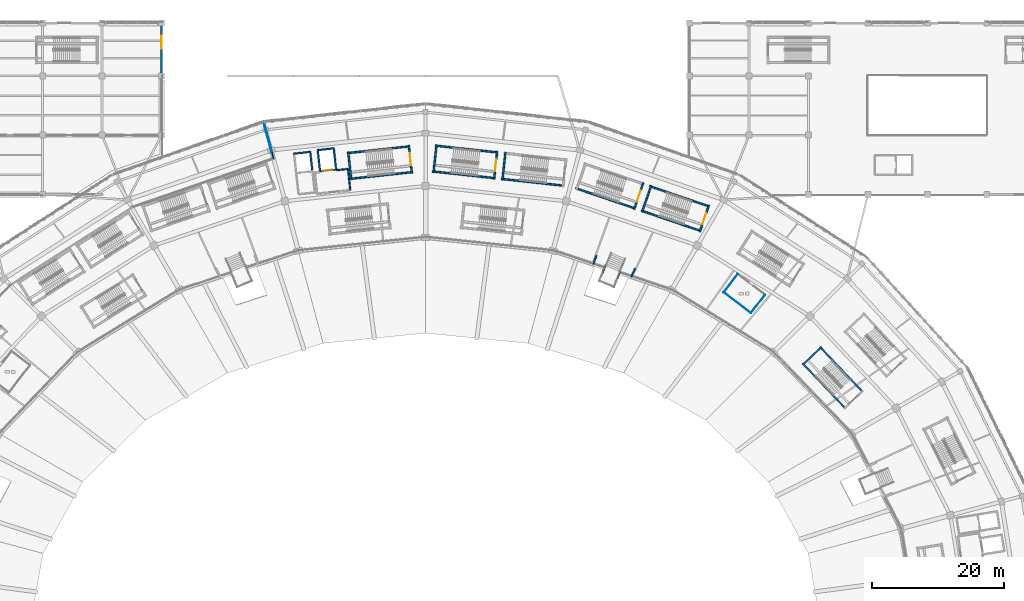
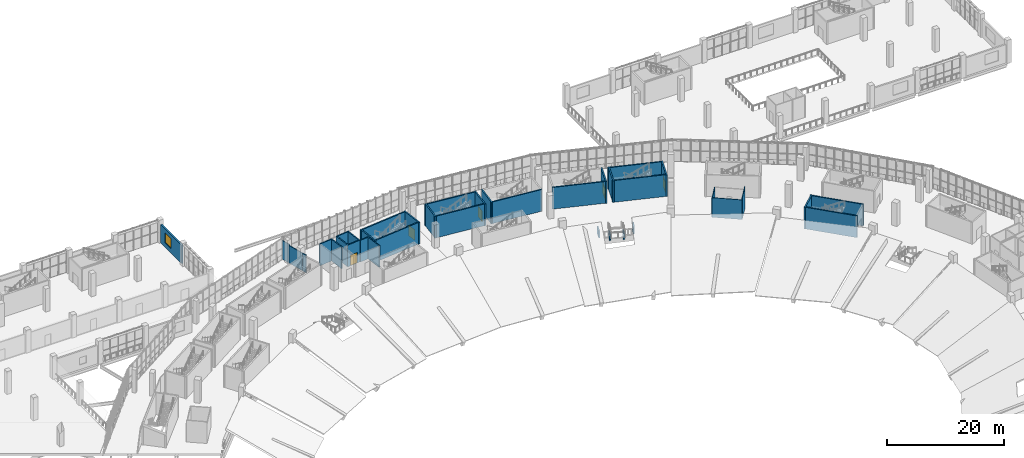
# One storey, part 110 of 183: 38 walls, 5 doors, 1 window, 6 openings.
"""IFC4 building model written with IfcOpenShell, lengths in metres."""

from ifc_helpers import new_model, si_unit, direction, frame, frame_2d, origin, place, context, subcontext, project, spatial, rectangle, extrude, material, layer, layer_set, type_object, element, fill, save


model = new_model("IFC4")

# Units and contexts
model_context = context("Model", 3, precision=1e-05, world=origin(), true_north=direction((0.0, 1.0)))
body_context = subcontext(model_context, "Body", "Model", "MODEL_VIEW")
ifc_project = project(units=[si_unit("LENGTHUNIT", "METRE"), si_unit("AREAUNIT", "SQUARE_METRE"), si_unit("VOLUMEUNIT", "CUBIC_METRE"), si_unit("PLANEANGLEUNIT", "RADIAN"), si_unit("MASSUNIT", "GRAM", prefix="KILO")], contexts=[model_context])

# Site, building, storey
site_placement = place(None, origin())
site = spatial("IfcSite", under=ifc_project, at=site_placement, CompositionType="ELEMENT")
building_placement = place(site_placement, origin())
building = spatial("IfcBuilding", under=site, at=building_placement, Name="Zevraka Park Crest Stadium", CompositionType="ELEMENT")
storey_placement = place(building_placement, frame((0.0, 0.0, 5.39990234375)))
storey = spatial("IfcBuildingStorey", under=building, at=storey_placement, Name="L01", CompositionType="ELEMENT", Elevation=5.39990234375)

# Wall, opening, window
ifc_material_1 = material(Name="Limestone and red clay brick masonry", Category="masonry")
ifc_layer_1 = layer(ifc_material_1, 0.300048828125)
ifc_layer_set_1 = layer_set([ifc_layer_1], Name="Limestone and red clay brick masonry")
wall_type_1 = type_object("IfcWallType", Name="EW02", PredefinedType="STANDARD", material=ifc_layer_set_1)
wall_1_placement = place(storey_placement, frame((72.0, 183.574951171875, 0.0), z_axis=(0.0, 0.0, 1.0), x_axis=(0.0, -1.0, 0.0)))
wall_1 = element("IfcWall", 1, at=wall_1_placement, inside=storey, type_object=wall_type_1, Name="Wing External Cavity Wall EW02 L01-NW-E1-1", PredefinedType="STANDARD", context=body_context, shape_type="SweptSolid", body=[
    extrude(rectangle(XDim=7.14990234375, YDim=0.300048828125, at=frame_2d((3.574951171875, 0.0))), origin(), (0.0, 0.0, 1.0), 3.837158203125),
])
opening_1_placement = place(wall_1_placement, frame((1.527099609375, 0.0, 0.949951171875)))
opening_1 = element("IfcOpeningElement", 2, at=opening_1_placement, cuts=wall_1, Name="Opening WN10", PredefinedType="OPENING", context=body_context, shape_type="SweptSolid", body=[
    extrude(rectangle(XDim=1.949951171875, YDim=2.050048828125, at=frame_2d((0.97509765625, 1.02490234375))), frame((0.0, 0.159912109375, 0.0), z_axis=(0.0, -1.0, 0.0), x_axis=(1.0, 0.0, 0.0)), (0.0, 0.0, 1.0), 0.320068359375),
])
ifc_material_2 = material(Name="Solar-control laminated double glazing in aluminium frame", Category="aluminium")
window_type = type_object("IfcWindowType", Name="WN10", PartitioningType="SINGLE_PANEL", PredefinedType="WINDOW", material=ifc_material_2)
window_placement = place(opening_1_placement, origin())
window = element("IfcWindow", 3, at=window_placement, inside=storey, type_object=window_type, Name="Facade Casement Window WN10 W-L01-051", OverallHeight=2.050048828125, OverallWidth=1.949951171875, PartitioningType="SINGLE_PANEL", PredefinedType="WINDOW", context=body_context, shape_type="SweptSolid", body=[
    extrude(rectangle(XDim=1.949951171875, YDim=2.050048828125, at=frame_2d((0.97509765625, 1.02490234375))), frame((0.0, 0.030029296875, 0.0), z_axis=(0.0, -1.0, 0.0), x_axis=(1.0, 0.0, 0.0)), (0.0, 0.0, 1.0), 0.06005859375),
])
fill(opening_1, window)

# Walls
ifc_material_3 = material(Name="Autoclaved aerated masonry blockwork", Category="masonry")
ifc_layer_2 = layer(ifc_material_3, 0.199951171875)
ifc_layer_set_2 = layer_set([ifc_layer_2], Name="Autoclaved aerated masonry blockwork")
wall_type_2 = type_object("IfcWallType", Name="IW01", PredefinedType="PARTITIONING", material=ifc_layer_set_2)
wall_2_placement = place(storey_placement, frame((98.52490234375, 161.697998046875, 0.0), z_axis=(0.0, 0.0, 1.0), x_axis=(0.994135511072, 0.108141507414, 0.0)))
element("IfcWall", 4, at=wall_2_placement, inside=storey, type_object=wall_type_2, Name="Firefighting Lift Lobby Wall IW01 FL02 L01 BACKR", PredefinedType="PARTITIONING", context=body_context, shape_type="SweptSolid", body=[
    extrude(rectangle(XDim=1.72021484375, YDim=0.199951171875, at=frame_2d((0.860107421875, 0.0))), origin(), (0.0, 0.0, 1.0), 4.5),
])
wall_3_placement = place(storey_placement, frame((100.235107421875, 161.884033203125, 0.0), z_axis=(0.0, 0.0, 1.0), x_axis=(0.108280975823, -0.994120329877, 0.0)))
element("IfcWall", 5, at=wall_3_placement, inside=storey, type_object=wall_type_2, Name="Firefighting Lift Lobby Wall IW01 FL02 L01 RIGHT", PredefinedType="PARTITIONING", context=body_context, shape_type="SweptSolid", body=[
    extrude(rectangle(XDim=3.239990234375, YDim=0.199951171875, at=frame_2d((1.6201171875, 0.0))), origin(), (0.0, 0.0, 1.0), 4.5),
])
ifc_material_4 = material(Name="Fire-rated twin-stud acoustic drywall", Category="other")
ifc_layer_3 = layer(ifc_material_4, 0.139892578125)
ifc_layer_set_3 = layer_set([ifc_layer_3], Name="Fire-rated twin-stud acoustic drywall")
wall_type_3 = type_object("IfcWallType", Name="IW03", PredefinedType="PARTITIONING", material=ifc_layer_set_3)
wall_4_placement = place(storey_placement, frame((88.969970703125, 163.458984375, 0.0), z_axis=(0.0, 0.0, 1.0), x_axis=(-0.258783945257, 0.965935230581, 0.0)))
element("IfcWall", 6, at=wall_4_placement, inside=storey, type_object=wall_type_3, Name="Interior Partition IW03 Food and Beverage Concession Hall L01", PredefinedType="PARTITIONING", context=body_context, shape_type="SweptSolid", body=[
    extrude(rectangle(XDim=0.934814453125, YDim=0.139892578125, at=frame_2d((0.46728515625, 0.0))), origin(), (0.0, 0.0, 1.0), 3.6650390625),
])
wall_5_placement = place(storey_placement, frame((88.73193359375, 164.347900390625, 0.0), z_axis=(0.0, 0.0, 1.0), x_axis=(-0.258656973338, 0.965969238715, 0.0)))
element("IfcWall", 7, at=wall_5_placement, inside=storey, type_object=wall_type_3, Name="Interior Partition IW03 Food and Beverage Concession Hall L01", PredefinedType="PARTITIONING", context=body_context, shape_type="SweptSolid", body=[
    extrude(rectangle(XDim=3.239501953125, YDim=0.139892578125, at=frame_2d((1.61962890625, 0.0))), origin(), (0.0, 0.0, 1.0), 3.6650390625),
])
wall_6_placement = place(storey_placement, frame((87.89697265625, 167.4619140625, 0.0), z_axis=(0.0, 0.0, 1.0), x_axis=(-0.258270054959, 0.966072760568, 0.0)))
element("IfcWall", 8, at=wall_6_placement, inside=storey, type_object=wall_type_3, Name="Interior Partition IW03 Food and Beverage Concession Hall L01", PredefinedType="PARTITIONING", context=body_context, shape_type="SweptSolid", body=[
    extrude(rectangle(XDim=1.676025390625, YDim=0.139892578125, at=frame_2d((0.837890625, 0.0))), origin(), (0.0, 0.0, 1.0), 3.9150390625),
])
ifc_material_5 = material(Name="Moisture-resistant sanitary partition", Category="other")
ifc_layer_4 = layer(ifc_material_5, 0.1201171875)
ifc_layer_set_4 = layer_set([ifc_layer_4], Name="Moisture-resistant sanitary partition")
wall_type_4 = type_object("IfcWallType", Name="IW04", PredefinedType="PARTITIONING", material=ifc_layer_set_4)
wall_7_placement = place(storey_placement, frame((161.27197265625, 140.041015625, 0.0), z_axis=(0.0, 0.0, 1.0), x_axis=(-0.79327979317, 0.608857265497, 0.0)))
element("IfcWall", 9, at=wall_7_placement, inside=storey, type_object=wall_type_4, Name="Sanitary Enclosure Wall IW04 Male WC L01-001-1", PredefinedType="PARTITIONING", context=body_context, shape_type="SweptSolid", body=[
    extrude(rectangle(XDim=5.199951171875, YDim=0.1201171875, at=frame_2d((2.60009765625, 0.0))), origin(), (0.0, 0.0, 1.0), 4.087158203125),
])
wall_8_placement = place(storey_placement, frame((157.14697265625, 143.20703125, 0.0), z_axis=(0.0, 0.0, 1.0), x_axis=(0.608648267267, 0.793440159529, 0.0)))
element("IfcWall", 10, at=wall_8_placement, inside=storey, type_object=wall_type_4, Name="Sanitary Enclosure Wall IW04 Male WC L01-001-2", PredefinedType="PARTITIONING", context=body_context, shape_type="SweptSolid", body=[
    extrude(rectangle(XDim=3.499755859375, YDim=0.1201171875, at=frame_2d((1.75, 0.0))), origin(), (0.0, 0.0, 1.0), 3.815185546875),
])
wall_9_placement = place(storey_placement, frame((163.403076171875, 142.818115234375, 0.0), z_axis=(0.0, 0.0, 1.0), x_axis=(-0.608790203715, -0.793331259853, 0.0)))
element("IfcWall", 11, at=wall_9_placement, inside=storey, type_object=wall_type_4, Name="Sanitary Enclosure Wall IW04 Male WC L01-001-4", PredefinedType="PARTITIONING", context=body_context, shape_type="SweptSolid", body=[
    extrude(rectangle(XDim=3.50048828125, YDim=0.1201171875, at=frame_2d((1.750244140625, 0.0))), origin(), (0.0, 0.0, 1.0), 4.5),
])
ifc_material_6 = material(Name="Concrete C40/50", Category="concrete")
ifc_layer_5 = layer(ifc_material_6, 0.25)
ifc_layer_set_5 = layer_set([ifc_layer_5], Name="Concrete C40/50")
wall_type_5 = type_object("IfcWallType", Name="SW01", PredefinedType="SHEAR", material=ifc_layer_set_5)
for number, where, z_axis, x_axis, name in (
    (12, (154.976318359375, 156.190673828125, 0.0), (0.0, 0.0, 1.0), (-0.946064424228, 0.323978556712, 0.0), "Stair Core Shear Wall SW01 ST05 L01 left"),
    (13, (144.671630859375, 155.576171875, 0.0), (0.0, 0.0, 1.0), (0.946064424228, -0.323978556712, 0.0), "Stair Core Shear Wall SW01 ST05 L01 right"),
):
    element("IfcWall", number, at=place(storey_placement, frame(where, z_axis=z_axis, x_axis=x_axis)), inside=storey, type_object=wall_type_5, Name=name, PredefinedType="SHEAR", context=body_context, shape_type="SweptSolid", body=[
        extrude(rectangle(XDim=9.550048828125, YDim=0.25, at=frame_2d((4.77490234375, 0.0))), origin(), (0.0, 0.0, 1.0), 4.52001953125),
    ])

# Wall, opening, door
wall_10_placement = place(storey_placement, frame((153.533203125, 152.36181640625, 0.0), z_axis=(0.0, 0.0, 1.0), x_axis=(0.323971192516, 0.946066946056, 0.0)))
wall_10 = element("IfcWall", 14, at=wall_10_placement, inside=storey, type_object=wall_type_5, Name="Stair Core Shear Wall SW01 ST05 L01 near", PredefinedType="SHEAR", context=body_context, shape_type="SweptSolid", body=[
    extrude(rectangle(XDim=4.260009765625, YDim=0.25, at=frame_2d((2.1298828125, 0.0))), origin(), (0.0, 0.0, 1.0), 4.52001953125),
])
opening_2_placement = place(wall_10_placement, frame((1.22998046875, 0.0, 0.0)))
opening_2 = element("IfcOpeningElement", 15, at=opening_2_placement, cuts=wall_10, Name="Opening D-L01-028", PredefinedType="OPENING", context=body_context, shape_type="SweptSolid", body=[
    extrude(rectangle(XDim=1.800048828125, YDim=2.25, at=frame_2d((0.89990234375, 1.125))), frame((0.0, 0.135009765625, 0.0), z_axis=(0.0, -1.0, 0.0), x_axis=(1.0, 0.0, 0.0)), (0.0, 0.0, 1.0), 0.27001953125),
])
ifc_material_7 = material(Name="Solid-core hardwood timber leaf in steel frame", Category="steel")
door_type_1 = type_object("IfcDoorType", Name="DR04", OperationType="NOTDEFINED", PredefinedType="DOOR", material=ifc_material_7)
door_1_placement = place(opening_2_placement, origin())
door_1 = element("IfcDoor", 16, at=door_1_placement, inside=storey, type_object=door_type_1, Name="Protected Stair Entry Door ST05 L01", OperationType="DOUBLE_DOOR_SINGLE_SWING", OverallHeight=2.25, OverallWidth=1.800048828125, PredefinedType="DOOR", context=body_context, shape_type="SweptSolid", body=[
    extrude(rectangle(XDim=1.800048828125, YDim=2.25, at=frame_2d((0.89990234375, 1.125))), frame((0.0, 0.02490234375, 0.0), z_axis=(0.0, -1.0, 0.0), x_axis=(1.0, 0.0, 0.0)), (0.0, 0.0, 1.0), 0.050048828125),
])
fill(opening_2, door_1)

# Walls
wall_11_placement = place(storey_placement, frame((146.171630859375, 159.385498046875, 0.0), z_axis=(0.0, 0.0, 1.0), x_axis=(-0.323971192516, -0.946066946056, 0.0)))
element("IfcWall", 17, at=wall_11_placement, inside=storey, type_object=wall_type_5, Name="Stair Core Shear Wall SW01 ST05 L01 far", PredefinedType="SHEAR", context=body_context, shape_type="SweptSolid", body=[
    extrude(rectangle(XDim=4.260009765625, YDim=0.25, at=frame_2d((2.1298828125, 0.0))), origin(), (0.0, 0.0, 1.0), 4.52001953125),
])
wall_12_placement = place(storey_placement, frame((123.467041015625, 160.3798828125, 0.0), z_axis=(0.0, 0.0, 1.0), x_axis=(0.994127555169, -0.108214620337, 0.0)))
element("IfcWall", 18, at=wall_12_placement, inside=storey, type_object=wall_type_5, Name="Stair Core Shear Wall SW01 ST06 L01 right", PredefinedType="SHEAR", context=body_context, shape_type="SweptSolid", body=[
    extrude(rectangle(XDim=9.550048828125, YDim=0.25, at=frame_2d((4.77490234375, 0.0))), origin(), (0.0, 0.0, 1.0), 4.52001953125),
])
wall_13_placement = place(storey_placement, frame((124.093505859375, 164.426025390625, 0.0), z_axis=(0.0, 0.0, 1.0), x_axis=(-0.108198315262, -0.994129329903, 0.0)))
element("IfcWall", 19, at=wall_13_placement, inside=storey, type_object=wall_type_5, Name="Stair Core Shear Wall SW01 ST06 L01 far", PredefinedType="SHEAR", context=body_context, shape_type="SweptSolid", body=[
    extrude(rectangle(XDim=4.260009765625, YDim=0.25, at=frame_2d((2.1298828125, 0.0))), origin(), (0.0, 0.0, 1.0), 4.52001953125),
])
for number, where, z_axis, x_axis, name in (
    (20, (109.602783203125, 165.310546875, 0.0), (0.0, 0.0, 1.0), (-0.994127555169, -0.108214620337, 0.0), "Stair Core Shear Wall SW01 ST07 L01 left"),
    (21, (100.533203125, 160.380126953125, 0.0), (0.0, 0.0, 1.0), (0.994127555169, 0.108214620337, 0.0), "Stair Core Shear Wall SW01 ST07 L01 right"),
):
    element("IfcWall", number, at=place(storey_placement, frame(where, z_axis=z_axis, x_axis=x_axis)), inside=storey, type_object=wall_type_5, Name=name, PredefinedType="SHEAR", context=body_context, shape_type="SweptSolid", body=[
        extrude(rectangle(XDim=9.550048828125, YDim=0.25, at=frame_2d((4.77490234375, 0.0))), origin(), (0.0, 0.0, 1.0), 4.52001953125),
    ])

# Wall, opening, door
wall_14_placement = place(storey_placement, frame((109.921142578125, 161.23095703125, 0.0), z_axis=(0.0, 0.0, 1.0), x_axis=(-0.108198315262, 0.994129329903, 0.0)))
wall_14 = element("IfcWall", 22, at=wall_14_placement, inside=storey, type_object=wall_type_5, Name="Stair Core Shear Wall SW01 ST07 L01 near", PredefinedType="SHEAR", context=body_context, shape_type="SweptSolid", body=[
    extrude(rectangle(XDim=4.260009765625, YDim=0.25, at=frame_2d((2.1298828125, 0.0))), origin(), (0.0, 0.0, 1.0), 4.52001953125),
])
opening_3_placement = place(wall_14_placement, frame((1.22998046875, 0.0, 0.0)))
opening_3 = element("IfcOpeningElement", 23, at=opening_3_placement, cuts=wall_14, Name="Opening D-L01-039", PredefinedType="OPENING", context=body_context, shape_type="SweptSolid", body=[
    extrude(rectangle(XDim=1.800048828125, YDim=2.25, at=frame_2d((0.89990234375, 1.125))), frame((0.0, 0.135009765625, 0.0), z_axis=(0.0, -1.0, 0.0), x_axis=(1.0, 0.0, 0.0)), (0.0, 0.0, 1.0), 0.27001953125),
])
door_2_placement = place(opening_3_placement, origin())
door_2 = element("IfcDoor", 24, at=door_2_placement, inside=storey, type_object=door_type_1, Name="Protected Stair Entry Door ST07 L01", OperationType="DOUBLE_DOOR_SINGLE_SWING", OverallHeight=2.25, OverallWidth=1.800048828125, PredefinedType="DOOR", context=body_context, shape_type="SweptSolid", body=[
    extrude(rectangle(XDim=1.800048828125, YDim=2.25, at=frame_2d((0.89990234375, 1.125))), frame((0.0, 0.02490234375, 0.0), z_axis=(0.0, -1.0, 0.0), x_axis=(1.0, 0.0, 0.0)), (0.0, 0.0, 1.0), 0.050048828125),
])
fill(opening_3, door_2)

# Walls
wall_15_placement = place(storey_placement, frame((100.2744140625, 164.466064453125, 0.0), z_axis=(0.0, 0.0, 1.0), x_axis=(0.108204479885, -0.994128658944, 0.0)))
element("IfcWall", 25, at=wall_15_placement, inside=storey, type_object=wall_type_5, Name="Stair Core Shear Wall SW01 ST07 L01 far", PredefinedType="SHEAR", context=body_context, shape_type="SweptSolid", body=[
    extrude(rectangle(XDim=4.259765625, YDim=0.25, at=frame_2d((2.1298828125, 0.0))), origin(), (0.0, 0.0, 1.0), 4.52001953125),
])
wall_16_placement = place(storey_placement, frame((134.737548828125, 158.97705078125, 0.0), z_axis=(0.0, 0.0, 1.0), x_axis=(0.946064424228, -0.323978556712, 0.0)))
element("IfcWall", 26, at=wall_16_placement, inside=storey, type_object=wall_type_5, Name="Stair Core Shear Wall SW01 ST25 L01 right", PredefinedType="SHEAR", context=body_context, shape_type="SweptSolid", body=[
    extrude(rectangle(XDim=9.550048828125, YDim=0.25, at=frame_2d((4.77490234375, 0.0))), origin(), (0.0, 0.0, 1.0), 4.52001953125),
])

# Wall, opening, door
wall_17_placement = place(storey_placement, frame((143.59912109375, 155.7626953125, 0.0), z_axis=(0.0, 0.0, 1.0), x_axis=(0.323971192516, 0.946066946056, 0.0)))
wall_17 = element("IfcWall", 27, at=wall_17_placement, inside=storey, type_object=wall_type_5, Name="Stair Core Shear Wall SW01 ST25 L01 near", PredefinedType="SHEAR", context=body_context, shape_type="SweptSolid", body=[
    extrude(rectangle(XDim=4.260009765625, YDim=0.25, at=frame_2d((2.1298828125, 0.0))), origin(), (0.0, 0.0, 1.0), 4.52001953125),
])
opening_4_placement = place(wall_17_placement, frame((1.22998046875, 0.0, 0.0)))
opening_4 = element("IfcOpeningElement", 28, at=opening_4_placement, cuts=wall_17, Name="Opening D-L01-147", PredefinedType="OPENING", context=body_context, shape_type="SweptSolid", body=[
    extrude(rectangle(XDim=1.800048828125, YDim=2.25, at=frame_2d((0.89990234375, 1.125))), frame((0.0, 0.135009765625, 0.0), z_axis=(0.0, -1.0, 0.0), x_axis=(1.0, 0.0, 0.0)), (0.0, 0.0, 1.0), 0.27001953125),
])
door_3_placement = place(opening_4_placement, origin())
door_3 = element("IfcDoor", 29, at=door_3_placement, inside=storey, type_object=door_type_1, Name="Protected Stair Entry Door ST25 L01", OperationType="DOUBLE_DOOR_SINGLE_SWING", OverallHeight=2.25, OverallWidth=1.800048828125, PredefinedType="DOOR", context=body_context, shape_type="SweptSolid", body=[
    extrude(rectangle(XDim=1.800048828125, YDim=2.25, at=frame_2d((0.89990234375, 1.125))), frame((0.0, 0.02490234375, 0.0), z_axis=(0.0, -1.0, 0.0), x_axis=(1.0, 0.0, 0.0)), (0.0, 0.0, 1.0), 0.050048828125),
])
fill(opening_4, door_3)

# Walls
for number, where, z_axis, x_axis, name in (
    (30, (122.947265625, 164.37939453125, 0.0), (0.0, 0.0, 1.0), (-0.994127555169, 0.108214620337, 0.0), "Stair Core Shear Wall SW01 ST26 L01 left"),
    (31, (113.029052734375, 161.515869140625, 0.0), (0.0, 0.0, 1.0), (0.994127555169, -0.108214620337, 0.0), "Stair Core Shear Wall SW01 ST26 L01 right"),
):
    element("IfcWall", number, at=place(storey_placement, frame(where, z_axis=z_axis, x_axis=x_axis)), inside=storey, type_object=wall_type_5, Name=name, PredefinedType="SHEAR", context=body_context, shape_type="SweptSolid", body=[
        extrude(rectangle(XDim=9.550048828125, YDim=0.25, at=frame_2d((4.77490234375, 0.0))), origin(), (0.0, 0.0, 1.0), 4.52001953125),
    ])

# Wall, opening, door
wall_18_placement = place(storey_placement, frame((122.38037109375, 160.326904296875, 0.0), z_axis=(0.0, 0.0, 1.0), x_axis=(0.108198315262, 0.994129329903, 0.0)))
wall_18 = element("IfcWall", 32, at=wall_18_placement, inside=storey, type_object=wall_type_5, Name="Stair Core Shear Wall SW01 ST26 L01 near", PredefinedType="SHEAR", context=body_context, shape_type="SweptSolid", body=[
    extrude(rectangle(XDim=4.260009765625, YDim=0.25, at=frame_2d((2.1298828125, 0.0))), origin(), (0.0, 0.0, 1.0), 4.52001953125),
])
opening_5_placement = place(wall_18_placement, frame((1.22998046875, 0.0, 0.0)))
opening_5 = element("IfcOpeningElement", 33, at=opening_5_placement, cuts=wall_18, Name="Opening D-L01-152", PredefinedType="OPENING", context=body_context, shape_type="SweptSolid", body=[
    extrude(rectangle(XDim=1.800048828125, YDim=2.25, at=frame_2d((0.89990234375, 1.125))), frame((0.0, 0.135009765625, 0.0), z_axis=(0.0, -1.0, 0.0), x_axis=(1.0, 0.0, 0.0)), (0.0, 0.0, 1.0), 0.27001953125),
])
door_4_placement = place(opening_5_placement, origin())
door_4 = element("IfcDoor", 34, at=door_4_placement, inside=storey, type_object=door_type_1, Name="Protected Stair Entry Door ST26 L01", OperationType="DOUBLE_DOOR_SINGLE_SWING", OverallHeight=2.25, OverallWidth=1.800048828125, PredefinedType="DOOR", context=body_context, shape_type="SweptSolid", body=[
    extrude(rectangle(XDim=1.800048828125, YDim=2.25, at=frame_2d((0.89990234375, 1.125))), frame((0.0, 0.02490234375, 0.0), z_axis=(0.0, -1.0, 0.0), x_axis=(1.0, 0.0, 0.0)), (0.0, 0.0, 1.0), 0.050048828125),
])
fill(opening_5, door_4)

# Walls
wall_19_placement = place(storey_placement, frame((113.655517578125, 165.56201171875, 0.0), z_axis=(0.0, 0.0, 1.0), x_axis=(-0.108198315262, -0.994129329903, 0.0)))
element("IfcWall", 35, at=wall_19_placement, inside=storey, type_object=wall_type_5, Name="Stair Core Shear Wall SW01 ST26 L01 far", PredefinedType="SHEAR", context=body_context, shape_type="SweptSolid", body=[
    extrude(rectangle(XDim=4.260009765625, YDim=0.25, at=frame_2d((2.1298828125, 0.0))), origin(), (0.0, 0.0, 1.0), 4.52001953125),
])
for number, where, z_axis, x_axis, name in (
    (36, (178.232177734375, 128.083740234375, 0.0), (0.0, 0.0, 1.0), (-0.68832701945, 0.725400519916, 0.0), "Stair Core Shear Wall SW01 ST34 L01 left"),
    (37, (169.1015625, 132.447021484375, 0.0), (0.0, 0.0, 1.0), (0.68832701945, -0.725400519916, 0.0), "Stair Core Shear Wall SW01 ST34 L01 right"),
):
    element("IfcWall", number, at=place(storey_placement, frame(where, z_axis=z_axis, x_axis=x_axis)), inside=storey, type_object=wall_type_5, Name=name, PredefinedType="SHEAR", context=body_context, shape_type="SweptSolid", body=[
        extrude(rectangle(XDim=9.449951171875, YDim=0.25, at=frame_2d((4.72509765625, 0.0))), origin(), (0.0, 0.0, 1.0), 4.52001953125),
    ])
wall_20_placement = place(storey_placement, frame((171.97802734375, 134.921630859375, 0.0), z_axis=(0.0, 0.0, 1.0), x_axis=(-0.725390288694, -0.688337801569, 0.0)))
element("IfcWall", 38, at=wall_20_placement, inside=storey, type_object=wall_type_5, Name="Stair Core Shear Wall SW01 ST34 L01 far", PredefinedType="SHEAR", context=body_context, shape_type="SweptSolid", body=[
    extrude(rectangle(XDim=3.9599609375, YDim=0.25, at=frame_2d((1.97998046875, 0.0))), origin(), (0.0, 0.0, 1.0), 4.52001953125),
])
ifc_material_8 = material(Name="Concrete C40/50", Category="concrete")
ifc_layer_6 = layer(ifc_material_8, 0.219970703125)
ifc_layer_set_6 = layer_set([ifc_layer_6], Name="Concrete C40/50")
wall_type_6 = type_object("IfcWallType", Name="SW02", PredefinedType="SHEAR", material=ifc_layer_set_6)
for number, where, z_axis, x_axis, name in (
    (39, (143.14111328125, 145.550048828125, 0.0), (0.0, 0.0, 1.0), (0.421223998033, 0.906956638148, 0.0), "Vomitory Portal Raker Pier Wall SW02 04-1"),
    (40, (137.39111328125, 147.451904296875, 0.0), (0.0, 0.0, 1.0), (0.343450269648, 0.939170864262, 0.0), "Vomitory Portal Raker Pier Wall SW02 04-2"),
):
    element("IfcWall", number, at=place(storey_placement, frame(where, z_axis=z_axis, x_axis=x_axis)), inside=storey, type_object=wall_type_6, Name=name, PredefinedType="SHEAR", context=body_context, shape_type="SweptSolid", body=[
        extrude(rectangle(XDim=1.400390625, YDim=0.219970703125, at=frame_2d((0.7001953125, 0.0))), origin(), (0.0, 0.0, 1.0), 1.510009765625),
    ])
for number, where, z_axis, x_axis, name in (
    (41, (139.281005859375, 147.260009765625, -0.2998046875), (0.0, 0.0, 1.0), (-0.382769136873, -0.923844027884, 0.0), "Vomitory Portal Support Wall SW02 VS-02-1"),
    (42, (141.4990234375, 146.342041015625, -0.2998046875), (0.0, 0.0, 1.0), (-0.382769136873, -0.923844027884, 0.0), "Vomitory Portal Support Wall SW02 VS-02-2"),
):
    element("IfcWall", number, at=place(storey_placement, frame(where, z_axis=z_axis, x_axis=x_axis)), inside=storey, type_object=wall_type_6, Name=name, PredefinedType="SHEAR", context=body_context, shape_type="SweptSolid", body=[
        extrude(rectangle(XDim=1.13671875, YDim=0.219970703125, at=frame_2d((0.568359375, 0.0))), origin(), (0.0, 0.0, 1.0), 1.31982421875),
    ])
wall_21_placement = place(storey_placement, frame((98.18310546875, 165.010986328125, 0.0), z_axis=(0.0, 0.0, 1.0), x_axis=(-0.994077313431, -0.108675180804, 0.0)))
element("IfcWall", 43, at=wall_21_placement, inside=storey, type_object=wall_type_6, Name="Lift Shaft Shear Wall SW02 FL02 L01-1", PredefinedType="SHEAR", context=body_context, shape_type="SweptSolid", body=[
    extrude(rectangle(XDim=2.6396484375, YDim=0.219970703125, at=frame_2d((1.31982421875, 0.0))), origin(), (0.0, 0.0, 1.0), 4.52001953125),
])
wall_22_placement = place(storey_placement, frame((95.656005859375, 164.844970703125, 0.0), z_axis=(0.0, 0.0, 1.0), x_axis=(0.108748511736, -0.994069293961, 0.0)))
element("IfcWall", 44, at=wall_22_placement, inside=storey, type_object=wall_type_6, Name="Lift Shaft Shear Wall SW02 FL02 L01-2", PredefinedType="SHEAR", context=body_context, shape_type="SweptSolid", body=[
    extrude(rectangle(XDim=3.439453125, YDim=0.219970703125, at=frame_2d((1.7197265625, 0.0))), origin(), (0.0, 0.0, 1.0), 4.52001953125),
])

# Wall, opening, door
wall_23_placement = place(storey_placement, frame((95.908935546875, 161.52294921875, 0.0), z_axis=(0.0, 0.0, 1.0), x_axis=(0.994067317545, 0.108766576613, 0.0)))
wall_23 = element("IfcWall", 45, at=wall_23_placement, inside=storey, type_object=wall_type_6, Name="Lift Shaft Shear Wall SW02 FL02 L01-3", PredefinedType="SHEAR", context=body_context, shape_type="SweptSolid", body=[
    extrude(rectangle(XDim=2.6396484375, YDim=0.219970703125, at=frame_2d((1.31982421875, 0.0))), origin(), (0.0, 0.0, 1.0), 4.52001953125),
])
opening_6_placement = place(wall_23_placement, frame((0.6201171875, 0.0, 0.0)))
opening_6 = element("IfcOpeningElement", 46, at=opening_6_placement, cuts=wall_23, Name="Opening LD-FL02-L01", PredefinedType="OPENING", context=body_context, shape_type="SweptSolid", body=[
    extrude(rectangle(XDim=1.39990234375, YDim=2.199951171875, at=frame_2d((0.699951171875, 1.10009765625))), frame((0.0, 0.119873046875, 0.0), z_axis=(0.0, -1.0, 0.0), x_axis=(1.0, 0.0, 0.0)), (0.0, 0.0, 1.0), 0.239990234375),
])
ifc_material_9 = material(Name="Brushed stainless steel lift landing doors", Category="steel")
door_type_2 = type_object("IfcDoorType", Name="LD01", OperationType="NOTDEFINED", PredefinedType="DOOR", material=ifc_material_9)
door_5_placement = place(opening_6_placement, origin())
door_5 = element("IfcDoor", 47, at=door_5_placement, inside=storey, type_object=door_type_2, Name="Lift Sliding Landing Door LD-FL02-L01", OperationType="SLIDING_TO_LEFT", OverallHeight=2.199951171875, OverallWidth=1.39990234375, PredefinedType="DOOR", context=body_context, shape_type="SweptSolid", body=[
    extrude(rectangle(XDim=1.39990234375, YDim=2.199951171875, at=frame_2d((0.699951171875, 1.10009765625))), frame((0.0, 0.02490234375, 0.0), z_axis=(0.0, -1.0, 0.0), x_axis=(1.0, 0.0, 0.0)), (0.0, 0.0, 1.0), 0.050048828125),
])
fill(opening_6, door_5)

# Walls
wall_24_placement = place(storey_placement, frame((98.43603515625, 161.68896484375, 0.0), z_axis=(0.0, 0.0, 1.0), x_axis=(-0.108748511736, 0.994069293961, 0.0)))
element("IfcWall", 48, at=wall_24_placement, inside=storey, type_object=wall_type_6, Name="Lift Shaft Shear Wall SW02 FL02 L01-4", PredefinedType="SHEAR", context=body_context, shape_type="SweptSolid", body=[
    extrude(rectangle(XDim=3.439453125, YDim=0.219970703125, at=frame_2d((1.7197265625, 0.0))), origin(), (0.0, 0.0, 1.0), 4.52001953125),
])
wall_25_placement = place(storey_placement, frame((94.62109375, 164.470947265625, 0.0), z_axis=(0.0, 0.0, 1.0), x_axis=(-0.994072941705, -0.108715162556, 0.0)))
element("IfcWall", 49, at=wall_25_placement, inside=storey, type_object=wall_type_6, Name="Lift Shaft Shear Wall SW02 PL02 L01-1", PredefinedType="SHEAR", context=body_context, shape_type="SweptSolid", body=[
    extrude(rectangle(XDim=2.638671875, YDim=0.219970703125, at=frame_2d((1.3193359375, 0.0))), origin(), (0.0, 0.0, 1.0), 4.52001953125),
])
wall_26_placement = place(storey_placement, frame((94.841064453125, 161.447021484375, 0.0), z_axis=(0.0, 0.0, 1.0), x_axis=(-0.108630539984, 0.99408219267, 0.0)))
element("IfcWall", 50, at=wall_26_placement, inside=storey, type_object=wall_type_6, Name="Lift Shaft Shear Wall SW02 PL02 L01-4", PredefinedType="SHEAR", context=body_context, shape_type="SweptSolid", body=[
    extrude(rectangle(XDim=3.1396484375, YDim=0.219970703125, at=frame_2d((1.56982421875, 0.0))), origin(), (0.0, 0.0, 1.0), 4.52001953125),
])

save(model, "model.ifc")
